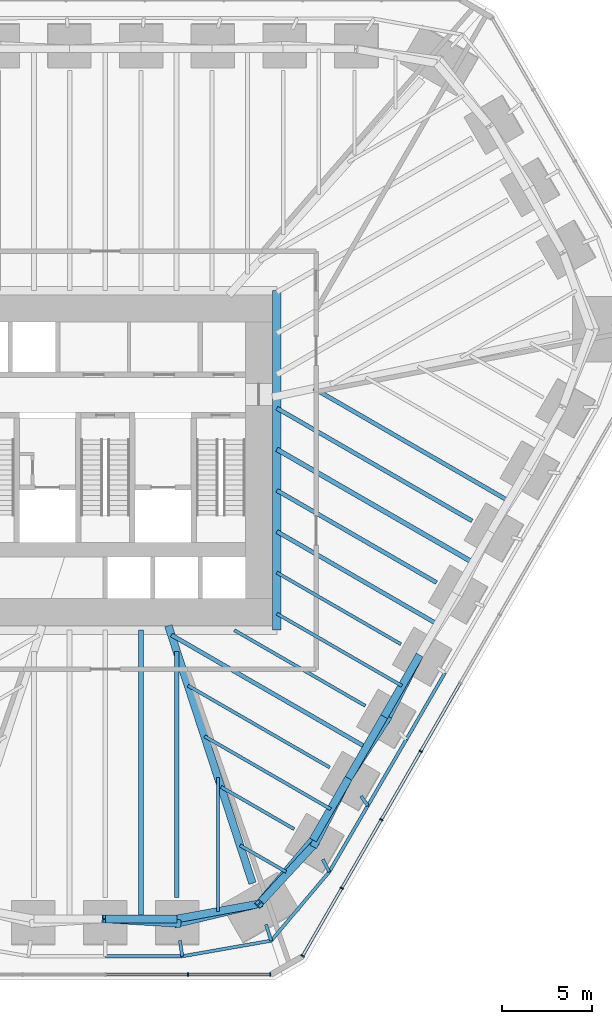
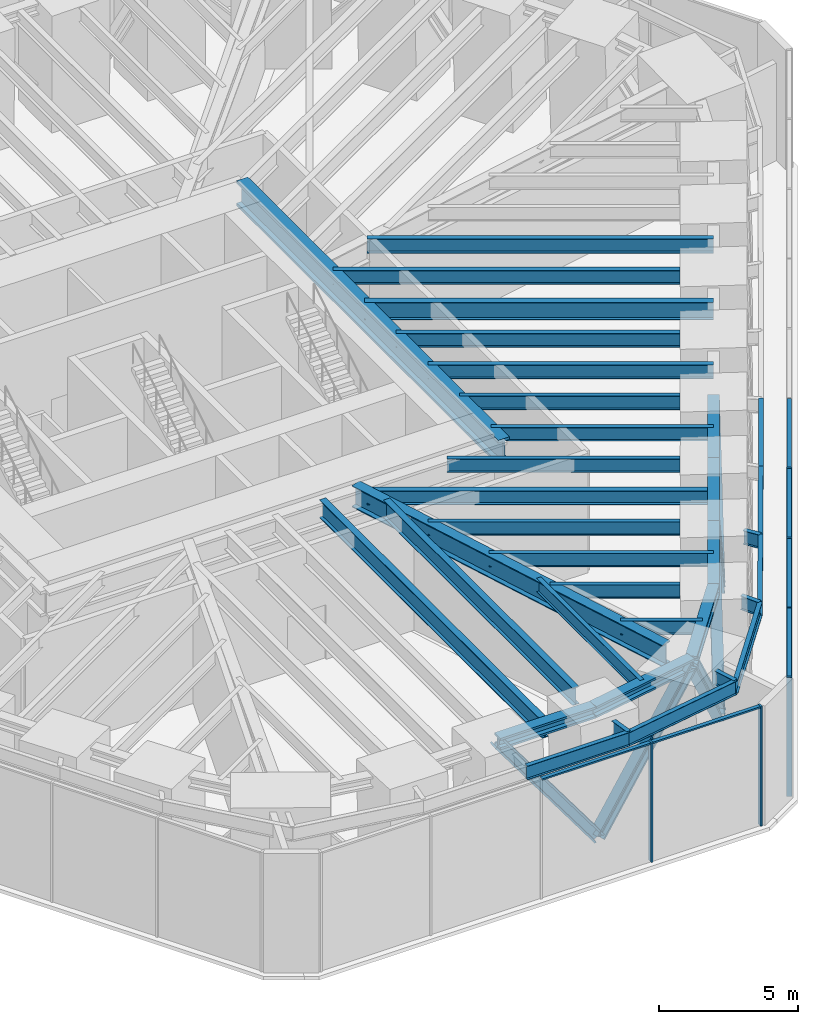
# One storey, part 4 of 13: 34 beams, 18 members, 2 elements without a shape of their own.
"""IFC4 building model written with IfcOpenShell, lengths in metres."""

from ifc_helpers import new_model, si_unit, direction, frame, origin, origin_2d, place, context, subcontext, project, spatial, rectangle, i_section, extrude, material, material_profile, profile_set, type_object, element, aggregate, save


model = new_model("IFC4")

# Units and contexts
model_context = context("Model", 3, precision=1e-05, world=origin(), true_north=direction((0.0, 1.0)))
body_context = subcontext(model_context, "Body", "Model", "MODEL_VIEW")
ifc_project = project(units=[si_unit("LENGTHUNIT", "METRE"), si_unit("AREAUNIT", "SQUARE_METRE"), si_unit("VOLUMEUNIT", "CUBIC_METRE"), si_unit("PLANEANGLEUNIT", "RADIAN"), si_unit("MASSUNIT", "GRAM", prefix="KILO")], contexts=[model_context])

# Site, building, storey
site_placement = place(None, origin())
site = spatial("IfcSite", under=ifc_project, at=site_placement, CompositionType="ELEMENT")
building_placement = place(site_placement, origin())
building = spatial("IfcBuilding", under=site, at=building_placement, Name="Sandreach Pilgrim Tower", CompositionType="ELEMENT")
storey_placement = place(building_placement, frame((0.0, 0.0, 91.39990234375)))
storey = spatial("IfcBuildingStorey", under=building, at=storey_placement, Name="L22", CompositionType="ELEMENT", Elevation=91.39990234375)

# Beams
ifc_material_1 = material(Name="Steel ASTM A913 Grade 65", Category="steel")
ifc_material_profile_1 = material_profile(ifc_material_1, i_section(OverallWidth=0.431884765625, OverallDepth=0.497802734375, WebThickness=0.0556640625, FlangeThickness=0.0888671875, at=origin_2d()), Name="W14X500")
ifc_profile_set_1 = profile_set([ifc_material_profile_1], Name="Steel ASTM A913 Grade 65")
beam_type_1 = type_object("IfcBeamType", Name="Belt truss chord W14X500", PredefinedType="BEAM", material=ifc_profile_set_1)
for number, where, z_axis, x_axis, name in (
    (1, (17.404052734375, -12.322998046875, 4.9912109375), (-0.49999779889, -0.866026674592, 0.0), (0.866026674592, -0.49999779889, 0.0), "BM L22 BTT18"),
    (2, (15.43408203125, -15.735107421875, 4.9912109375), (-0.49999779889, -0.866026674592, 0.0), (0.866026674592, -0.49999779889, 0.0), "BM L22 BTT19"),
    (3, (13.464111328125, -19.147216796875, 4.9912109375), (-0.49999779889, -0.866026674592, 0.0), (0.866026674592, -0.49999779889, 0.0), "BM L22 BTT20"),
):
    element("IfcBeam", number, at=place(storey_placement, frame(where, z_axis=z_axis, x_axis=x_axis)), inside=storey, type_object=beam_type_1, Name=name, PredefinedType="BEAM", context=body_context, shape_type="SweptSolid", body=[
        extrude(i_section(OverallWidth=0.431884765625, OverallDepth=0.497802734375, WebThickness=0.0556640625, FlangeThickness=0.0888671875, at=origin_2d()), origin(), (0.0, 0.0, 1.0), 3.93994140625),
    ])
beam_1_placement = place(storey_placement, frame((11.494140625, -22.559326171875, 4.9912109375), z_axis=(-0.644078801547, -0.764959147535, 0.0), x_axis=(0.764959147535, -0.644078801547, 0.0)))
element("IfcBeam", 4, at=beam_1_placement, inside=storey, type_object=beam_type_1, Name="BM L22 BTT21", PredefinedType="BEAM", context=body_context, shape_type="SweptSolid", body=[
    extrude(i_section(OverallWidth=0.431884765625, OverallDepth=0.497802734375, WebThickness=0.0556640625, FlangeThickness=0.0888671875, at=origin_2d()), origin(), (0.0, 0.0, 1.0), 4.62109375),
])
beam_2_placement = place(storey_placement, frame((8.517822265625, -26.09423828125, 4.9912109375), z_axis=(-0.983551746136, -0.180626583516, 0.0), x_axis=(0.180626583516, -0.983551746136, 0.0)))
element("IfcBeam", 5, at=beam_2_placement, inside=storey, type_object=beam_type_1, Name="BM L22 BTT22", PredefinedType="BEAM", context=body_context, shape_type="SweptSolid", body=[
    extrude(i_section(OverallWidth=0.431884765625, OverallDepth=0.497802734375, WebThickness=0.0556640625, FlangeThickness=0.0888671875, at=origin_2d()), origin(), (0.0, 0.0, 1.0), 4.638916015625),
])
beam_3_placement = place(storey_placement, frame((3.955322265625, -26.93212890625, 4.9912109375), z_axis=(-1.0, 0.0, 0.0), x_axis=(0.0, -1.0, 0.0)))
element("IfcBeam", 6, at=beam_3_placement, inside=storey, type_object=beam_type_1, Name="BM L22 BTT23", PredefinedType="BEAM", context=body_context, shape_type="SweptSolid", body=[
    extrude(i_section(OverallWidth=0.431884765625, OverallDepth=0.497802734375, WebThickness=0.0556640625, FlangeThickness=0.0888671875, at=origin_2d()), origin(), (0.0, 0.0, 1.0), 3.955322265625),
])

# Members
ifc_material_2 = material(Name="Steel ASTM A913 Grade 65", Category="steel")
ifc_material_profile_2 = material_profile(ifc_material_2, i_section(OverallWidth=0.424072265625, OverallDepth=0.47509765625, WebThickness=0.0478515625, FlangeThickness=0.0771484375, at=origin_2d()), Name="W14X426")
ifc_profile_set_2 = profile_set([ifc_material_profile_2], Name="Steel ASTM A913 Grade 65")
member_type_1 = type_object("IfcMemberType", Name="Belt truss diagonal W14X426", PredefinedType="BRACE", material=ifc_profile_set_2)
member_1_placement = place(storey_placement, frame((17.404052734375, -12.322998046875, 4.9912109375), z_axis=(-0.271702624345, -0.529600328615, -0.803555334657), x_axis=(0.889740563088, -0.456466570952, 0.0)))
element("IfcMember", 7, at=member_1_placement, inside=storey, type_object=member_type_1, Name="Belt truss diagonal L22 bay 18", PredefinedType="BRACE", context=body_context, shape_type="SweptSolid", body=[
    extrude(i_section(OverallWidth=0.424072265625, OverallDepth=0.47509765625, WebThickness=0.0478515625, FlangeThickness=0.0771484375, at=origin_2d()), origin(), (0.0, 0.0, 1.0), 6.72021484375),
])
member_2_placement = place(storey_placement, frame((15.578125, -15.882080078125, -0.408935546875), z_axis=(-0.317648167186, -0.490613995606, 0.811417000807), x_axis=(0.839420254425, -0.543482875959, 0.0)))
element("IfcMember", 8, at=member_2_placement, inside=storey, type_object=member_type_1, Name="Belt truss diagonal L22 bay 19", PredefinedType="BRACE", context=body_context, shape_type="SweptSolid", body=[
    extrude(i_section(OverallWidth=0.424072265625, OverallDepth=0.47509765625, WebThickness=0.0478515625, FlangeThickness=0.0771484375, at=origin_2d()), origin(), (0.0, 0.0, 1.0), 6.6552734375),
])
member_3_placement = place(storey_placement, frame((13.464111328125, -19.147216796875, 4.9912109375), z_axis=(-0.275350983395, -0.535579137842, -0.798333779225), x_axis=(0.889348385445, -0.457230192908, 0.0)))
element("IfcMember", 9, at=member_3_placement, inside=storey, type_object=member_type_1, Name="Belt truss diagonal L22 bay 20", PredefinedType="BRACE", context=body_context, shape_type="SweptSolid", body=[
    extrude(i_section(OverallWidth=0.424072265625, OverallDepth=0.47509765625, WebThickness=0.0478515625, FlangeThickness=0.0771484375, at=origin_2d()), origin(), (0.0, 0.0, 1.0), 6.76416015625),
])
member_4_placement = place(storey_placement, frame((11.6015625, -22.77001953125, -0.408935546875), z_axis=(-0.437326529657, -0.471430451097, 0.765832120139), x_axis=(0.733127082965, -0.680091670456, 0.0)))
element("IfcMember", 10, at=member_4_placement, inside=storey, type_object=member_type_1, Name="Belt truss diagonal L22 bay 21", PredefinedType="BRACE", context=body_context, shape_type="SweptSolid", body=[
    extrude(i_section(OverallWidth=0.424072265625, OverallDepth=0.47509765625, WebThickness=0.0478515625, FlangeThickness=0.0771484375, at=origin_2d()), origin(), (0.0, 0.0, 1.0), 7.05126953125),
])
member_5_placement = place(storey_placement, frame((8.517822265625, -26.09423828125, 4.9912109375), z_axis=(-0.634863983355, -0.152320783104, -0.757460297094), x_axis=(0.233305502579, -0.972403487482, 0.0)))
element("IfcMember", 11, at=member_5_placement, inside=storey, type_object=member_type_1, Name="Belt truss diagonal L22 bay 22", PredefinedType="BRACE", context=body_context, shape_type="SweptSolid", body=[
    extrude(i_section(OverallWidth=0.424072265625, OverallDepth=0.47509765625, WebThickness=0.0478515625, FlangeThickness=0.0771484375, at=origin_2d()), origin(), (0.0, 0.0, 1.0), 7.12939453125),
])
member_6_placement = place(storey_placement, frame((3.99169921875, -27.18017578125, -0.408935546875), z_axis=(-0.594013567662, 0.036912402737, 0.803607712729), x_axis=(-0.062021042172, -0.998074842047, 0.0)))
element("IfcMember", 12, at=member_6_placement, inside=storey, type_object=member_type_1, Name="Belt truss diagonal L22 bay 23", PredefinedType="BRACE", context=body_context, shape_type="SweptSolid", body=[
    extrude(i_section(OverallWidth=0.424072265625, OverallDepth=0.47509765625, WebThickness=0.0478515625, FlangeThickness=0.0771484375, at=origin_2d()), origin(), (0.0, 0.0, 1.0), 6.719970703125),
])

# Curtain wall, members
ifc_material_3 = material(Name="Aluminium framed curtain wall", Category="aluminium")
curtain_wall_type = type_object("IfcCurtainWallType", Name="Plant storey louvred curtain wall", PredefinedType="NOTDEFINED", material=ifc_material_3)
curtain_wall_1_placement = place(storey_placement, origin())
curtain_wall_1 = element("IfcCurtainWall", 13, at=curtain_wall_1_placement, inside=storey, type_object=curtain_wall_type, Name="CW-L L22 SE", PredefinedType="NOTDEFINED")
ifc_material_4 = material(Name="Aluminium extrusion", Category="aluminium")
ifc_material_profile_3 = material_profile(ifc_material_4, rectangle(XDim=0.080078125, YDim=0.199951171875, at=origin_2d()), Name="CW-LM 80X200")
ifc_profile_set_3 = profile_set([ifc_material_profile_3], Name="Aluminium extrusion")
member_type_2 = type_object("IfcMemberType", Name="CW-L mullion", PredefinedType="MULLION", material=ifc_profile_set_3)
member_7_placement = place(storey_placement, frame((17.46142578125, -17.6533203125, 0.0), z_axis=(0.0, 0.0, 1.0), x_axis=(-0.5, -0.866025403784, 0.0)))
member_7 = element("IfcMember", 14, at=member_7_placement, type_object=member_type_2, Name="CW-L mullion 7", PredefinedType="MULLION", context=body_context, shape_type="SweptSolid", body=[
    extrude(rectangle(XDim=0.080078125, YDim=0.199951171875, at=origin_2d()), origin(), (0.0, 0.0, 1.0), 5.239990234375),
])
member_8_placement = place(storey_placement, frame((15.275634765625, -21.439208984375, 0.0), z_axis=(0.0, 0.0, 1.0), x_axis=(-0.5, -0.866025403784, 0.0)))
member_8 = element("IfcMember", 15, at=member_8_placement, type_object=member_type_2, Name="CW-L mullion 8", PredefinedType="MULLION", context=body_context, shape_type="SweptSolid", body=[
    extrude(rectangle(XDim=0.080078125, YDim=0.199951171875, at=origin_2d()), origin(), (0.0, 0.0, 1.0), 5.239990234375),
])
member_9_placement = place(storey_placement, frame((13.08984375, -25.22509765625, 0.0), z_axis=(0.0, 0.0, 1.0), x_axis=(-0.5, -0.866025403784, 0.0)))
member_9 = element("IfcMember", 16, at=member_9_placement, type_object=member_type_2, Name="CW-L mullion 9", PredefinedType="MULLION", context=body_context, shape_type="SweptSolid", body=[
    extrude(rectangle(XDim=0.080078125, YDim=0.199951171875, at=origin_2d()), origin(), (0.0, 0.0, 1.0), 5.239990234375),
])
member_10_placement = place(storey_placement, frame((10.924072265625, -28.976318359375, 0.0), z_axis=(0.0, 0.0, 1.0), x_axis=(-0.5, -0.866025403784, 0.0)))
member_10 = element("IfcMember", 17, at=member_10_placement, type_object=member_type_2, Name="CW-L mullion 10", PredefinedType="MULLION", context=body_context, shape_type="SweptSolid", body=[
    extrude(rectangle(XDim=0.080078125, YDim=0.199951171875, at=origin_2d()), origin(), (0.0, 0.0, 1.0), 5.239990234375),
])

curtain_wall_2_placement = place(storey_placement, origin())
curtain_wall_2 = element("IfcCurtainWall", 18, at=curtain_wall_2_placement, inside=storey, type_object=curtain_wall_type, Name="CW-L L22 S", PredefinedType="NOTDEFINED")
member_11_placement = place(storey_placement, frame((9.132080078125, -30.010986328125, 0.0), z_axis=(0.0, 0.0, 1.0), x_axis=(-1.0, 0.0, 0.0)))
member_11 = element("IfcMember", 19, at=member_11_placement, type_object=member_type_2, Name="CW-L mullion 1", PredefinedType="MULLION", context=body_context, shape_type="SweptSolid", body=[
    extrude(rectangle(XDim=0.080078125, YDim=0.199951171875, at=origin_2d()), origin(), (0.0, 0.0, 1.0), 5.239990234375),
])
member_12_placement = place(storey_placement, frame((4.5859375, -30.010986328125, 0.0), z_axis=(0.0, 0.0, 1.0), x_axis=(-1.0, 0.0, 0.0)))
member_12 = element("IfcMember", 20, at=member_12_placement, type_object=member_type_2, Name="CW-L mullion 2", PredefinedType="MULLION", context=body_context, shape_type="SweptSolid", body=[
    extrude(rectangle(XDim=0.080078125, YDim=0.199951171875, at=origin_2d()), origin(), (0.0, 0.0, 1.0), 5.239990234375),
])

# Member
ifc_material_5 = material(Name="Aluminium extrusion", Category="aluminium")
ifc_material_profile_4 = material_profile(ifc_material_5, rectangle(XDim=0.159912109375, YDim=0.070068359375, at=origin_2d()), Name="CW-LT 160X70")
ifc_profile_set_4 = profile_set([ifc_material_profile_4], Name="Aluminium extrusion")
member_type_3 = type_object("IfcMemberType", Name="CW-L transom", PredefinedType="USERDEFINED", material=ifc_profile_set_4)
member_13_placement = place(storey_placement, frame((19.627197265625, -13.90185546875, 5.205078125), z_axis=(-0.499975232926, -0.866039702589, 0.0), x_axis=(0.866039702589, -0.499975232926, 0.0)))
member_13 = element("IfcMember", 21, at=member_13_placement, type_object=member_type_3, Name="CW-L head transom 6", ObjectType="TRANSOM", PredefinedType="USERDEFINED", context=body_context, shape_type="SweptSolid", body=[
    extrude(rectangle(XDim=0.159912109375, YDim=0.070068359375, at=origin_2d()), origin(), (0.0, 0.0, 1.0), 4.291748046875),
])

member_14_placement = place(storey_placement, frame((17.44140625, -17.687744140625, 5.205078125), z_axis=(-0.499975232926, -0.866039702589, 0.0), x_axis=(0.866039702589, -0.499975232926, 0.0)))
member_14 = element("IfcMember", 22, at=member_14_placement, type_object=member_type_3, Name="CW-L head transom 7", ObjectType="TRANSOM", PredefinedType="USERDEFINED", context=body_context, shape_type="SweptSolid", body=[
    extrude(rectangle(XDim=0.159912109375, YDim=0.070068359375, at=origin_2d()), origin(), (0.0, 0.0, 1.0), 4.291748046875),
])

member_15_placement = place(storey_placement, frame((15.255615234375, -21.4736328125, 5.205078125), z_axis=(-0.499975232926, -0.866039702589, 0.0), x_axis=(0.866039702589, -0.499975232926, 0.0)))
member_15 = element("IfcMember", 23, at=member_15_placement, type_object=member_type_3, Name="CW-L head transom 8", ObjectType="TRANSOM", PredefinedType="USERDEFINED", context=body_context, shape_type="SweptSolid", body=[
    extrude(rectangle(XDim=0.159912109375, YDim=0.070068359375, at=origin_2d()), origin(), (0.0, 0.0, 1.0), 4.291748046875),
])

member_16_placement = place(storey_placement, frame((13.06982421875, -25.259521484375, 5.205078125), z_axis=(-0.49997429937, -0.866040241541, 0.0), x_axis=(0.866040241541, -0.49997429937, 0.0)))
member_16 = element("IfcMember", 24, at=member_16_placement, type_object=member_type_3, Name="CW-L head transom 9", ObjectType="TRANSOM", PredefinedType="USERDEFINED", context=body_context, shape_type="SweptSolid", body=[
    extrude(rectangle(XDim=0.159912109375, YDim=0.070068359375, at=origin_2d()), origin(), (0.0, 0.0, 1.0), 4.251708984375),
])

aggregate(curtain_wall_1, [member_7, member_8, member_9, member_10, member_13, member_14, member_15, member_16])

member_17_placement = place(storey_placement, frame((9.092041015625, -30.010986328125, 5.205078125), z_axis=(-1.0, 0.0, 0.0), x_axis=(0.0, -1.0, 0.0)))
member_17 = element("IfcMember", 25, at=member_17_placement, type_object=member_type_3, Name="CW-L head transom 1", ObjectType="TRANSOM", PredefinedType="USERDEFINED", context=body_context, shape_type="SweptSolid", body=[
    extrude(rectangle(XDim=0.159912109375, YDim=0.070068359375, at=origin_2d()), origin(), (0.0, 0.0, 1.0), 4.466064453125),
])

member_18_placement = place(storey_placement, frame((4.546142578125, -30.010986328125, 5.205078125), z_axis=(-1.0, 0.0, 0.0), x_axis=(0.0, -1.0, 0.0)))
member_18 = element("IfcMember", 26, at=member_18_placement, type_object=member_type_3, Name="CW-L head transom 2", ObjectType="TRANSOM", PredefinedType="USERDEFINED", context=body_context, shape_type="SweptSolid", body=[
    extrude(rectangle(XDim=0.159912109375, YDim=0.070068359375, at=origin_2d()), origin(), (0.0, 0.0, 1.0), 4.506103515625),
])

aggregate(curtain_wall_2, [member_11, member_12, member_17, member_18])

# Beams
ifc_material_6 = material(Name="Steel ASTM A992 Grade 50", Category="steel")
ifc_material_profile_5 = material_profile(ifc_material_6, i_section(OverallWidth=0.472412109375, OverallDepth=1.0947265625, WebThickness=0.07666015625, FlangeThickness=0.114990234375, at=origin_2d()), Name="W36X925")
ifc_profile_set_5 = profile_set([ifc_material_profile_5], Name="Steel ASTM A992 Grade 50")
beam_type_2 = type_object("IfcBeamType", Name="Core edge beam W36X925", PredefinedType="BEAM", material=ifc_profile_set_5)
beam_4_placement = place(storey_placement, frame((9.496337890625, 7.84619140625, 4.692626953125), z_axis=(0.0, -1.0, 0.0), x_axis=(1.0, 0.0, 0.0)))
element("IfcBeam", 27, at=beam_4_placement, inside=storey, type_object=beam_type_2, Name="BM L22 CEE", PredefinedType="BEAM", context=body_context, shape_type="SweptSolid", body=[
    extrude(i_section(OverallWidth=0.472412109375, OverallDepth=1.0947265625, WebThickness=0.07666015625, FlangeThickness=0.114990234375, at=origin_2d()), origin(), (0.0, 0.0, 1.0), 18.79248046875),
])
ifc_material_7 = material(Name="Steel ASTM A992 Grade 50", Category="steel")
ifc_material_profile_6 = material_profile(ifc_material_7, i_section(OverallWidth=0.421630859375, OverallDepth=0.937255859375, WebThickness=0.0224609375, FlangeThickness=0.039794921875, at=origin_2d()), Name="W36X282")
ifc_profile_set_6 = profile_set([ifc_material_profile_6], Name="Steel ASTM A992 Grade 50")
beam_type_3 = type_object("IfcBeamType", Name="Corner girder W36X282", PredefinedType="BEAM", material=ifc_profile_set_6)
beam_5_placement = place(storey_placement, frame((8.1455078125, -24.95361328125, 4.771484375), z_axis=(-0.310315899411, 0.950633495398, 0.0), x_axis=(-0.950633495398, -0.310315899411, 0.0)))
element("IfcBeam", 28, at=beam_5_placement, inside=storey, type_object=beam_type_3, Name="BM L22 CG22", PredefinedType="BEAM", context=body_context, shape_type="SweptSolid", body=[
    extrude(i_section(OverallWidth=0.421630859375, OverallDepth=0.937255859375, WebThickness=0.0224609375, FlangeThickness=0.039794921875, at=origin_2d()), origin(), (0.0, 0.0, 1.0), 14.993896484375),
])
ifc_material_8 = material(Name="Steel ASTM A992 Grade 50", Category="steel")
ifc_material_profile_7 = material_profile(ifc_material_8, i_section(OverallWidth=0.1787109375, OverallDepth=0.60205078125, WebThickness=0.010986328125, FlangeThickness=0.014892578125, at=origin_2d()), Name="W24X62")
ifc_profile_set_7 = profile_set([ifc_material_profile_7], Name="Steel ASTM A992 Grade 50")
beam_type_4 = type_object("IfcBeamType", Name="Floor beam W24X62", PredefinedType="BEAM", material=ifc_profile_set_7)
beam_6_placement = place(storey_placement, frame((16.36474609375, -11.722900390625, 4.939208984375), z_axis=(-0.866020006944, 0.500009347485, 0.0), x_axis=(-0.500009347485, -0.866020006944, 0.0)))
element("IfcBeam", 29, at=beam_6_placement, inside=storey, type_object=beam_type_4, Name="BM L22 F18", PredefinedType="BEAM", context=body_context, shape_type="SweptSolid", body=[
    extrude(i_section(OverallWidth=0.1787109375, OverallDepth=0.60205078125, WebThickness=0.010986328125, FlangeThickness=0.014892578125, at=origin_2d()), origin(), (0.0, 0.0, 1.0), 7.930908203125),
])
beam_7_placement = place(storey_placement, frame((14.394775390625, -15.135009765625, 4.939208984375), z_axis=(-0.866026892193, 0.499997421992, 0.0), x_axis=(-0.499997421992, -0.866026892193, 0.0)))
element("IfcBeam", 30, at=beam_7_placement, inside=storey, type_object=beam_type_4, Name="BM L22 F19", PredefinedType="BEAM", context=body_context, shape_type="SweptSolid", body=[
    extrude(i_section(OverallWidth=0.1787109375, OverallDepth=0.60205078125, WebThickness=0.010986328125, FlangeThickness=0.014892578125, at=origin_2d()), origin(), (0.0, 0.0, 1.0), 8.37744140625),
])
beam_8_placement = place(storey_placement, frame((12.4248046875, -18.547119140625, 4.939208984375), z_axis=(-0.866020076177, 0.500009227573, 0.0), x_axis=(-0.500009227573, -0.866020076177, 0.0)))
element("IfcBeam", 31, at=beam_8_placement, inside=storey, type_object=beam_type_4, Name="BM L22 F20", PredefinedType="BEAM", context=body_context, shape_type="SweptSolid", body=[
    extrude(i_section(OverallWidth=0.1787109375, OverallDepth=0.60205078125, WebThickness=0.010986328125, FlangeThickness=0.014892578125, at=origin_2d()), origin(), (0.0, 0.0, 1.0), 9.064208984375),
])
beam_9_placement = place(storey_placement, frame((10.454833984375, -21.959228515625, 4.939208984375), z_axis=(-0.866017799667, 0.500013170487, 0.0), x_axis=(-0.500013170487, -0.866017799667, 0.0)))
element("IfcBeam", 32, at=beam_9_placement, inside=storey, type_object=beam_type_4, Name="BM L22 F21", PredefinedType="BEAM", context=body_context, shape_type="SweptSolid", body=[
    extrude(i_section(OverallWidth=0.1787109375, OverallDepth=0.60205078125, WebThickness=0.010986328125, FlangeThickness=0.014892578125, at=origin_2d()), origin(), (0.0, 0.0, 1.0), 4.676513671875),
])
beam_10_placement = place(storey_placement, frame((16.4189453125, -14.029052734375, 4.939208984375), z_axis=(-0.866022320763, 0.500005339912, 0.0), x_axis=(-0.500005339912, -0.866022320763, 0.0)))
element("IfcBeam", 33, at=beam_10_placement, inside=storey, type_object=beam_type_4, Name="BM L22 FM18", PredefinedType="BEAM", context=body_context, shape_type="SweptSolid", body=[
    extrude(i_section(OverallWidth=0.1787109375, OverallDepth=0.60205078125, WebThickness=0.010986328125, FlangeThickness=0.014892578125, at=origin_2d()), origin(), (0.0, 0.0, 1.0), 7.99365234375),
])
beam_11_placement = place(storey_placement, frame((12.47900390625, -20.853271484375, 4.939208984375), z_axis=(-0.866017328257, 0.500013986963, 0.0), x_axis=(-0.500013986963, -0.866017328257, 0.0)))
element("IfcBeam", 34, at=beam_11_placement, inside=storey, type_object=beam_type_4, Name="BM L22 FM20", PredefinedType="BEAM", context=body_context, shape_type="SweptSolid", body=[
    extrude(i_section(OverallWidth=0.1787109375, OverallDepth=0.60205078125, WebThickness=0.010986328125, FlangeThickness=0.014892578125, at=origin_2d()), origin(), (0.0, 0.0, 1.0), 8.070556640625),
])
beam_12_placement = place(storey_placement, frame((10.006103515625, -24.326904296875, 4.939208984375), z_axis=(-0.866015396618, 0.500017332519, 0.0), x_axis=(-0.500017332519, -0.866015396618, 0.0)))
element("IfcBeam", 35, at=beam_12_placement, inside=storey, type_object=beam_type_4, Name="BM L22 FM21", PredefinedType="BEAM", context=body_context, shape_type="SweptSolid", body=[
    extrude(i_section(OverallWidth=0.1787109375, OverallDepth=0.60205078125, WebThickness=0.010986328125, FlangeThickness=0.014892578125, at=origin_2d()), origin(), (0.0, 0.0, 1.0), 2.9384765625),
])
beam_13_placement = place(storey_placement, frame((6.236572265625, -26.51318359375, 4.939208984375), z_axis=(0.0, 1.0, 0.0), x_axis=(-1.0, 0.0, 0.0)))
element("IfcBeam", 36, at=beam_13_placement, inside=storey, type_object=beam_type_4, Name="BM L22 FM22", PredefinedType="BEAM", context=body_context, shape_type="SweptSolid", body=[
    extrude(i_section(OverallWidth=0.1787109375, OverallDepth=0.60205078125, WebThickness=0.010986328125, FlangeThickness=0.014892578125, at=origin_2d()), origin(), (0.0, 0.0, 1.0), 7.40771484375),
])
ifc_material_9 = material(Name="Steel ASTM A992 Grade 50", Category="steel")
ifc_material_profile_8 = material_profile(ifc_material_9, i_section(OverallWidth=0.23046875, OverallDepth=0.6171875, WebThickness=0.01318359375, FlangeThickness=0.022216796875, at=origin_2d()), Name="W24X94")
ifc_profile_set_8 = profile_set([ifc_material_profile_8], Name="Steel ASTM A992 Grade 50")
beam_type_5 = type_object("IfcBeamType", Name="Floor beam W24X94", PredefinedType="BEAM", material=ifc_profile_set_8)
beam_14_placement = place(storey_placement, frame((20.3046875, -4.898681640625, 4.931396484375), z_axis=(-0.866024334523, 0.500001852011, 0.0), x_axis=(-0.500001852011, -0.866024334523, 0.0)))
element("IfcBeam", 37, at=beam_14_placement, inside=storey, type_object=beam_type_5, Name="BM L22 F16", PredefinedType="BEAM", context=body_context, shape_type="SweptSolid", body=[
    extrude(i_section(OverallWidth=0.23046875, OverallDepth=0.6171875, WebThickness=0.01318359375, FlangeThickness=0.022216796875, at=origin_2d()), origin(), (0.0, 0.0, 1.0), 12.48046875),
])
beam_15_placement = place(storey_placement, frame((18.334716796875, -8.310791015625, 4.931396484375), z_axis=(-0.866027832292, 0.499995793678, 0.0), x_axis=(-0.499995793678, -0.866027832292, 0.0)))
element("IfcBeam", 38, at=beam_15_placement, inside=storey, type_object=beam_type_5, Name="BM L22 F17", PredefinedType="BEAM", context=body_context, shape_type="SweptSolid", body=[
    extrude(i_section(OverallWidth=0.23046875, OverallDepth=0.6171875, WebThickness=0.01318359375, FlangeThickness=0.022216796875, at=origin_2d()), origin(), (0.0, 0.0, 1.0), 10.20556640625),
])
beam_16_placement = place(storey_placement, frame((22.328857421875, -3.792724609375, 4.931396484375), z_axis=(-0.866019150617, 0.500010830648, 0.0), x_axis=(-0.500010830648, -0.866019150617, 0.0)))
element("IfcBeam", 39, at=beam_16_placement, inside=storey, type_object=beam_type_5, Name="BM L22 FM15", PredefinedType="BEAM", context=body_context, shape_type="SweptSolid", body=[
    extrude(i_section(OverallWidth=0.23046875, OverallDepth=0.6171875, WebThickness=0.01318359375, FlangeThickness=0.022216796875, at=origin_2d()), origin(), (0.0, 0.0, 1.0), 12.458251953125),
])
beam_17_placement = place(storey_placement, frame((18.388916015625, -10.616943359375, 4.931396484375), z_axis=(-0.8660192904, 0.500010588543, 0.0), x_axis=(-0.500010588543, -0.8660192904, 0.0)))
element("IfcBeam", 40, at=beam_17_placement, inside=storey, type_object=beam_type_5, Name="BM L22 FM17", PredefinedType="BEAM", context=body_context, shape_type="SweptSolid", body=[
    extrude(i_section(OverallWidth=0.23046875, OverallDepth=0.6171875, WebThickness=0.01318359375, FlangeThickness=0.022216796875, at=origin_2d()), origin(), (0.0, 0.0, 1.0), 10.268310546875),
])
beam_18_placement = place(storey_placement, frame((14.448974609375, -17.441162109375, 4.931396484375), z_axis=(-0.866019150617, 0.500010830648, 0.0), x_axis=(-0.500010830648, -0.866019150617, 0.0)))
element("IfcBeam", 41, at=beam_18_placement, inside=storey, type_object=beam_type_5, Name="BM L22 FM19", PredefinedType="BEAM", context=body_context, shape_type="SweptSolid", body=[
    extrude(i_section(OverallWidth=0.23046875, OverallDepth=0.6171875, WebThickness=0.01318359375, FlangeThickness=0.022216796875, at=origin_2d()), origin(), (0.0, 0.0, 1.0), 12.458251953125),
])
ifc_material_10 = material(Name="Steel ASTM A992 Grade 50", Category="steel")
ifc_material_profile_9 = material_profile(ifc_material_10, i_section(OverallWidth=0.2666015625, OverallDepth=0.761962890625, WebThickness=0.014404296875, FlangeThickness=0.021484375, at=origin_2d()), Name="W30X116")
ifc_profile_set_9 = profile_set([ifc_material_profile_9], Name="Steel ASTM A992 Grade 50")
beam_type_6 = type_object("IfcBeamType", Name="Floor beam W30X116", PredefinedType="BEAM", material=ifc_profile_set_9)
beam_19_placement = place(storey_placement, frame((3.955322265625, -25.732177734375, 4.859130859375), z_axis=(0.0, 1.0, 0.0), x_axis=(-1.0, 0.0, 0.0)))
element("IfcBeam", 42, at=beam_19_placement, inside=storey, type_object=beam_type_6, Name="BM L22 F23", PredefinedType="BEAM", context=body_context, shape_type="SweptSolid", body=[
    extrude(i_section(OverallWidth=0.2666015625, OverallDepth=0.761962890625, WebThickness=0.014404296875, FlangeThickness=0.021484375, at=origin_2d()), origin(), (0.0, 0.0, 1.0), 13.615478515625),
])
beam_20_placement = place(storey_placement, frame((20.35888671875, -7.204833984375, 4.859130859375), z_axis=(-0.86601735917, 0.500013933422, 0.0), x_axis=(-0.500013933422, -0.86601735917, 0.0)))
element("IfcBeam", 43, at=beam_20_placement, inside=storey, type_object=beam_type_6, Name="BM L22 FM16", PredefinedType="BEAM", context=body_context, shape_type="SweptSolid", body=[
    extrude(i_section(OverallWidth=0.2666015625, OverallDepth=0.761962890625, WebThickness=0.014404296875, FlangeThickness=0.021484375, at=origin_2d()), origin(), (0.0, 0.0, 1.0), 12.543212890625),
])
ifc_material_11 = material(Name="Steel ASTM A992 Grade 50", Category="steel")
ifc_material_profile_10 = material_profile(ifc_material_11, i_section(OverallWidth=0.2666015625, OverallDepth=0.77978515625, WebThickness=0.0166015625, FlangeThickness=0.030029296875, at=origin_2d()), Name="W30X148")
ifc_profile_set_10 = profile_set([ifc_material_profile_10], Name="Steel ASTM A992 Grade 50")
beam_type_7 = type_object("IfcBeamType", Name="Floor beam W30X148", PredefinedType="BEAM", material=ifc_profile_set_10)
beam_21_placement = place(storey_placement, frame((1.9775390625, -26.93212890625, 4.85009765625), z_axis=(0.0, 1.0, 0.0), x_axis=(-1.0, 0.0, 0.0)))
element("IfcBeam", 44, at=beam_21_placement, inside=storey, type_object=beam_type_7, Name="BM L22 FM23", PredefinedType="BEAM", context=body_context, shape_type="SweptSolid", body=[
    extrude(i_section(OverallWidth=0.2666015625, OverallDepth=0.77978515625, WebThickness=0.0166015625, FlangeThickness=0.030029296875, at=origin_2d()), origin(), (0.0, 0.0, 1.0), 15.98583984375),
])
ifc_material_12 = material(Name="Steel ASTM A992 Grade 50", Category="steel")
ifc_material_profile_11 = material_profile(ifc_material_12, i_section(OverallWidth=0.1787109375, OverallDepth=0.60205078125, WebThickness=0.010986328125, FlangeThickness=0.014892578125, at=origin_2d()), Name="W24X62")
ifc_profile_set_11 = profile_set([ifc_material_profile_11], Name="Steel ASTM A992 Grade 50")
beam_type_8 = type_object("IfcBeamType", Name="Setback roof edge beam W24X62", PredefinedType="BEAM", material=ifc_profile_set_11)
beam_22_placement = place(storey_placement, frame((18.800537109375, -13.311767578125, 4.899169921875), z_axis=(-0.501660542395, -0.865064564182, 0.0), x_axis=(0.865064564182, -0.501660542395, 0.0)))
element("IfcBeam", 45, at=beam_22_placement, inside=storey, type_object=beam_type_8, Name="BM L22 RE18", PredefinedType="BEAM", context=body_context, shape_type="SweptSolid", body=[
    extrude(i_section(OverallWidth=0.1787109375, OverallDepth=0.60205078125, WebThickness=0.010986328125, FlangeThickness=0.014892578125, at=origin_2d()), origin(), (0.0, 0.0, 1.0), 4.25390625),
])
beam_23_placement = place(storey_placement, frame((16.66650390625, -16.99169921875, 4.899169921875), z_axis=(-0.502827218682, -0.864386943534, 0.0), x_axis=(0.864386943534, -0.502827218682, 0.0)))
element("IfcBeam", 46, at=beam_23_placement, inside=storey, type_object=beam_type_8, Name="BM L22 RE19", PredefinedType="BEAM", context=body_context, shape_type="SweptSolid", body=[
    extrude(i_section(OverallWidth=0.1787109375, OverallDepth=0.60205078125, WebThickness=0.010986328125, FlangeThickness=0.014892578125, at=origin_2d()), origin(), (0.0, 0.0, 1.0), 4.248046875),
])
beam_24_placement = place(storey_placement, frame((14.530517578125, -20.66357421875, 4.899169921875), z_axis=(-0.503541691683, -0.863970928178, 0.0), x_axis=(0.863970928178, -0.503541691683, 0.0)))
element("IfcBeam", 47, at=beam_24_placement, inside=storey, type_object=beam_type_8, Name="BM L22 RE20", PredefinedType="BEAM", context=body_context, shape_type="SweptSolid", body=[
    extrude(i_section(OverallWidth=0.1787109375, OverallDepth=0.60205078125, WebThickness=0.010986328125, FlangeThickness=0.014892578125, at=origin_2d()), origin(), (0.0, 0.0, 1.0), 4.240966796875),
])
beam_25_placement = place(storey_placement, frame((12.39501953125, -24.32763671875, 4.899169921875), z_axis=(-0.644768026445, -0.764378304293, 0.0), x_axis=(0.764378304293, -0.644768026445, 0.0)))
element("IfcBeam", 48, at=beam_25_placement, inside=storey, type_object=beam_type_8, Name="BM L22 RE21", PredefinedType="BEAM", context=body_context, shape_type="SweptSolid", body=[
    extrude(i_section(OverallWidth=0.1787109375, OverallDepth=0.60205078125, WebThickness=0.010986328125, FlangeThickness=0.014892578125, at=origin_2d()), origin(), (0.0, 0.0, 1.0), 4.98046875),
])
beam_26_placement = place(storey_placement, frame((9.183837890625, -28.134521484375, 4.899169921875), z_axis=(-0.984967810867, -0.172737985271, 0.0), x_axis=(0.172737985271, -0.984967810867, 0.0)))
element("IfcBeam", 49, at=beam_26_placement, inside=storey, type_object=beam_type_8, Name="BM L22 RE22", PredefinedType="BEAM", context=body_context, shape_type="SweptSolid", body=[
    extrude(i_section(OverallWidth=0.1787109375, OverallDepth=0.60205078125, WebThickness=0.010986328125, FlangeThickness=0.014892578125, at=origin_2d()), origin(), (0.0, 0.0, 1.0), 5.00048828125),
])
beam_27_placement = place(storey_placement, frame((4.258544921875, -28.998291015625, 4.899169921875), z_axis=(-0.999999801156, -0.00063062534, 0.0), x_axis=(0.00063062534, -0.999999801156, 0.0)))
element("IfcBeam", 50, at=beam_27_placement, inside=storey, type_object=beam_type_8, Name="BM L22 RE23", PredefinedType="BEAM", context=body_context, shape_type="SweptSolid", body=[
    extrude(i_section(OverallWidth=0.1787109375, OverallDepth=0.60205078125, WebThickness=0.010986328125, FlangeThickness=0.014892578125, at=origin_2d()), origin(), (0.0, 0.0, 1.0), 4.258544921875),
])
ifc_material_13 = material(Name="Steel ASTM A992 Grade 50", Category="steel")
ifc_material_profile_12 = material_profile(ifc_material_13, i_section(OverallWidth=0.1787109375, OverallDepth=0.60205078125, WebThickness=0.010986328125, FlangeThickness=0.014892578125, at=origin_2d()), Name="W24X62")
ifc_profile_set_12 = profile_set([ifc_material_profile_12], Name="Steel ASTM A992 Grade 50")
beam_type_9 = type_object("IfcBeamType", Name="Setback roof outlooker W24X62", PredefinedType="BEAM", material=ifc_profile_set_12)
beam_28_placement = place(storey_placement, frame((14.154296875, -20.128662109375, 4.899169921875), z_axis=(0.57528994474, -0.81794955803, 0.0), x_axis=(0.81794955803, 0.57528994474, 0.0)))
element("IfcBeam", 51, at=beam_28_placement, inside=storey, type_object=beam_type_9, Name="BM L22 OL20", PredefinedType="BEAM", context=body_context, shape_type="SweptSolid", body=[
    extrude(i_section(OverallWidth=0.1787109375, OverallDepth=0.60205078125, WebThickness=0.010986328125, FlangeThickness=0.014892578125, at=origin_2d()), origin(), (0.0, 0.0, 1.0), 0.654052734375),
])
beam_29_placement = place(storey_placement, frame((12.038818359375, -23.62841796875, 4.899169921875), z_axis=(0.453921120799, -0.891041871122, 0.0), x_axis=(0.891041871122, 0.453921120799, 0.0)))
element("IfcBeam", 52, at=beam_29_placement, inside=storey, type_object=beam_type_9, Name="BM L22 OL21", PredefinedType="BEAM", context=body_context, shape_type="SweptSolid", body=[
    extrude(i_section(OverallWidth=0.1787109375, OverallDepth=0.60205078125, WebThickness=0.010986328125, FlangeThickness=0.014892578125, at=origin_2d()), origin(), (0.0, 0.0, 1.0), 0.78466796875),
])
beam_30_placement = place(storey_placement, frame((8.890380859375, -27.235107421875, 4.899169921875), z_axis=(0.310182858398, -0.95067691376, 0.0), x_axis=(0.95067691376, 0.310182858398, 0.0)))
element("IfcBeam", 53, at=beam_30_placement, inside=storey, type_object=beam_type_9, Name="BM L22 OL22", PredefinedType="BEAM", context=body_context, shape_type="SweptSolid", body=[
    extrude(i_section(OverallWidth=0.1787109375, OverallDepth=0.60205078125, WebThickness=0.010986328125, FlangeThickness=0.014892578125, at=origin_2d()), origin(), (0.0, 0.0, 1.0), 0.946044921875),
])
beam_31_placement = place(storey_placement, frame((4.129638671875, -28.119384765625, 4.899169921875), z_axis=(0.145114187428, -0.989414914284, 0.0), x_axis=(0.989414914284, 0.145114187428, 0.0)))
element("IfcBeam", 54, at=beam_31_placement, inside=storey, type_object=beam_type_9, Name="BM L22 OL23", PredefinedType="BEAM", context=body_context, shape_type="SweptSolid", body=[
    extrude(i_section(OverallWidth=0.1787109375, OverallDepth=0.60205078125, WebThickness=0.010986328125, FlangeThickness=0.014892578125, at=origin_2d()), origin(), (0.0, 0.0, 1.0), 0.888427734375),
])

save(model, "model.ifc")
